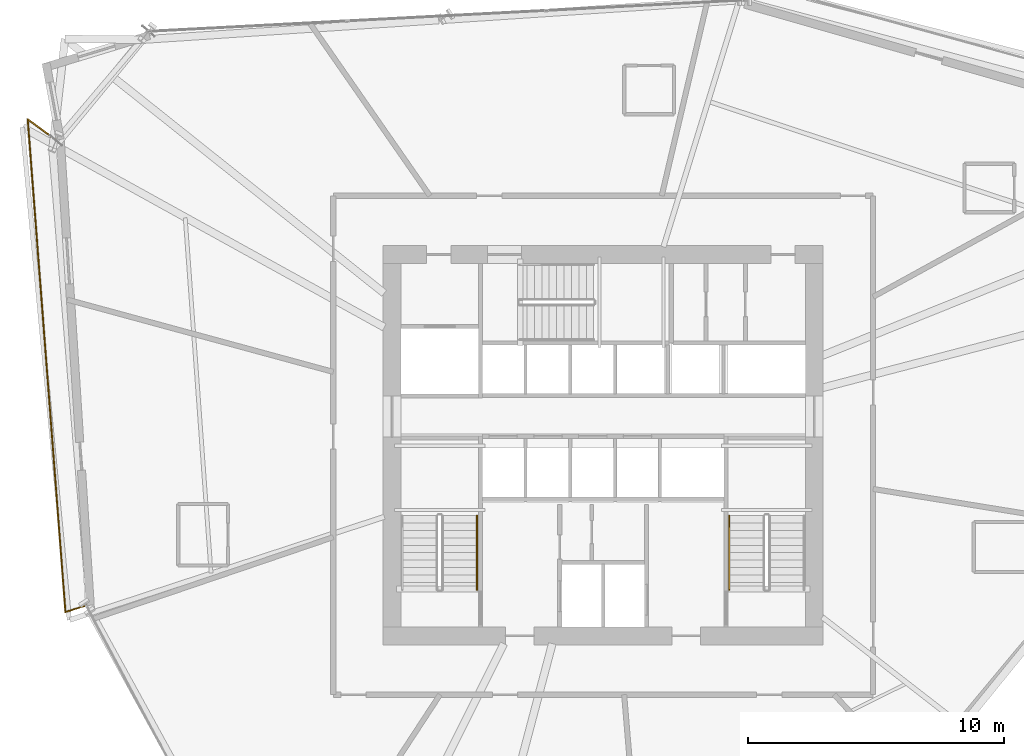
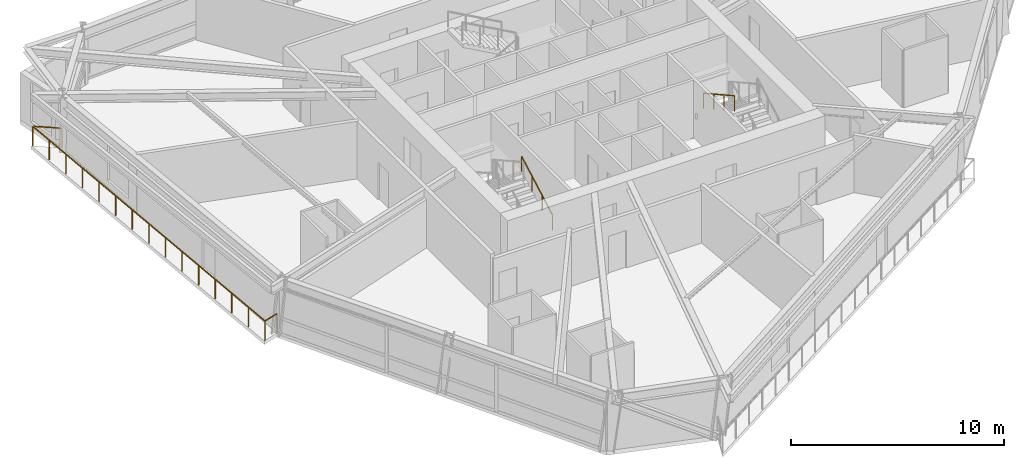
# One storey, part 19 of 21: 3 railings.
"""IFC4 building model written with IfcOpenShell, lengths in metres."""

import ifcopenshell
import ifcopenshell.guid

model = None  # the IFC model being written
_history = None  # IfcOwnerHistory: only IFC2X3 demands one
_inside = {}  # id of a spatial element -> (the spatial element, [elements in it])
_under = {}  # id of a project, library or spatial element -> (it, [spatial elements below it])
_declared = {}  # id of a project -> (the project, [libraries it declares])
_typed = {}  # id of a type object -> (the type object, [elements of that type])
_made_of = {}  # id of a material, layer set ... -> (it, [elements and type objects made of it])


def new_model(schema):
    """Start an empty IFC model of exactly this schema.

    Asked for "IFC4X3", IfcOpenShell would pick the latest addendum, in which some entities
    have other attributes; the version numbers below select the first issue.
    IFC2X3 requires an IfcOwnerHistory on every rooted entity: one is made here for all.
    """
    global model, _history
    if schema == "IFC4X3":
        model = ifcopenshell.file(schema_version=(4, 3, 0, 0))
    else:
        model = ifcopenshell.file(schema=schema)
    _inside.clear()
    _under.clear()
    _declared.clear()
    _typed.clear()
    _made_of.clear()
    _history = None
    if model.schema == "IFC2X3":
        org = make("IfcOrganization", Name="unknown")
        user = make(
            "IfcPersonAndOrganization",
            ThePerson=make("IfcPerson", FamilyName="unknown"),
            TheOrganization=org,
        )
        app = make(
            "IfcApplication",
            ApplicationDeveloper=org,
            Version="unknown",
            ApplicationFullName="unknown",
            ApplicationIdentifier="unknown",
        )
        _history = make(
            "IfcOwnerHistory",
            OwningUser=user,
            OwningApplication=app,
            ChangeAction="ADDED",
            CreationDate=0,
        )
    return model


def make(cls, **values):
    """One entity of the class cls with the attributes given. An attribute that is None is left unset."""
    return model.create_entity(
        cls, **{name: value for name, value in values.items() if value is not None}
    )


def rooted(cls, **values):
    """An entity with a GlobalId (a new one), such as an element, a storey or a relation."""
    return make(cls, GlobalId=ifcopenshell.guid.new(), OwnerHistory=_history, **values)


def si_unit(unit_type, name, prefix=None):
    """IfcSIUnit, for example si_unit("LENGTHUNIT", "METRE", prefix="MILLI")."""
    return make("IfcSIUnit", UnitType=unit_type, Prefix=prefix, Name=name)


def assignment(units):
    """IfcUnitAssignment: the units of a project."""
    return None if units is None else make("IfcUnitAssignment", Units=units)


def point(xyz):
    """IfcCartesianPoint."""
    return None if xyz is None else make("IfcCartesianPoint", Coordinates=xyz)


def direction(xyz):
    """IfcDirection."""
    return None if xyz is None else make("IfcDirection", DirectionRatios=xyz)


def frame(location, z_axis=None, x_axis=None):
    """IfcAxis2Placement3D, a coordinate frame: its origin and axes. An axis left out is left unset."""
    return make(
        "IfcAxis2Placement3D",
        Location=point(location),
        Axis=direction(z_axis),
        RefDirection=direction(x_axis),
    )


def frame_2d(location, x_axis=None):
    """IfcAxis2Placement2D, a coordinate frame in the plane: its origin and x axis."""
    return make(
        "IfcAxis2Placement2D", Location=point(location), RefDirection=direction(x_axis)
    )


def origin():
    """The frame at (0, 0, 0) with its axes left unset."""
    return frame((0.0, 0.0, 0.0))


def origin_2d():
    """The frame at (0, 0) in the plane with its x axis left unset."""
    return frame_2d((0.0, 0.0))


def place(relative_to, where):
    """IfcLocalPlacement: puts the frame where relative to a parent placement (None: the world)."""
    return make(
        "IfcLocalPlacement", PlacementRelTo=relative_to, RelativePlacement=where
    )


def context(
    kind, dimensions, precision=None, world=None, true_north=None, identifier=None
):
    """IfcGeometricRepresentationContext, for example the 3D "Model" context."""
    return make(
        "IfcGeometricRepresentationContext",
        ContextIdentifier=identifier,
        ContextType=kind,
        CoordinateSpaceDimension=dimensions,
        Precision=precision,
        WorldCoordinateSystem=world,
        TrueNorth=true_north,
    )


def subcontext(parent, identifier, kind, view, scale=None):
    """IfcGeometricRepresentationSubContext, for example "Body" below "Model"."""
    return make(
        "IfcGeometricRepresentationSubContext",
        ContextIdentifier=identifier,
        ContextType=kind,
        ParentContext=parent,
        TargetScale=scale,
        TargetView=view,
    )


def project(units=None, contexts=None):
    """IfcProject with its units and contexts."""
    return rooted(
        "IfcProject",
        Name="project",
        RepresentationContexts=contexts,
        UnitsInContext=assignment(units),
    )


def spatial(cls, under=None, at=None, **own):
    """A site, building, storey or space (cls), placed at a placement, below another one or the project."""
    s = rooted(cls, ObjectPlacement=at, **own)
    if under is not None:
        _under.setdefault(under.id(), (under, []))[1].append(s)
    return s


def profile(cls, at=None, kind="AREA", **sizes):
    """A parametric profile (cls). Its sizes go by their IFC names, for example OverallWidth=200.0."""
    return make(cls, ProfileType=kind, Position=at, **sizes)


def rectangle(**sizes):
    """IfcRectangleProfileDef."""
    return profile("IfcRectangleProfileDef", **sizes)


def extrude(swept, where, along, depth):
    """IfcExtrudedAreaSolid: the profile swept, set in the frame where, extruded along a direction by depth."""
    return make(
        "IfcExtrudedAreaSolid",
        SweptArea=swept,
        Position=where,
        ExtrudedDirection=direction(along),
        Depth=depth,
    )


def shape(context_of_items, identifier, shape_type, items):
    """IfcShapeRepresentation: the items that make up one representation, for example the "Body"."""
    return make(
        "IfcShapeRepresentation",
        ContextOfItems=context_of_items,
        RepresentationIdentifier=identifier,
        RepresentationType=shape_type,
        Items=items,
    )


def material(Name=None, Category=None):
    """IfcMaterial."""
    return make("IfcMaterial", Name=Name, Category=Category)


def made_of(thing, what):
    """Note that an element or type object is made of a material, layer set ...; save() writes the relation."""
    if what is not None:
        _made_of.setdefault(what.id(), (what, []))[1].append(thing)
    return thing


def type_object(cls, material=None, **own):
    """A type object (cls), such as IfcWallType, which elements share."""
    return made_of(rooted(cls, **own), material)


def element(
    cls,
    number,
    at=None,
    inside=None,
    cuts=None,
    type_object=None,
    material=None,
    context=None,
    identifier="Body",
    shape_type=None,
    held_by="IfcProductDefinitionShape",
    body=None,
    shapes=None,
    **own,
):
    """One element of the class cls, such as IfcWall. Its Tag is "e" and its number.

    at: its placement. inside: the storey or other place that contains it. cuts: it is an
    opening in that element (IfcRelVoidsElement). A single representation is given by context,
    identifier, shape_type and body (its items); several are given by shapes. held_by: the class
    of the entity that holds the representations. save() writes the other relations.
    """
    e = rooted(cls, Tag="e%d" % number, ObjectPlacement=at, **own)
    if body is not None:
        shapes = [shape(context, identifier, shape_type, body)]
    if shapes is not None:
        e.Representation = make(held_by, Representations=shapes)
    if inside is not None:
        _inside.setdefault(inside.id(), (inside, []))[1].append(e)
    if cuts is not None:
        rooted(
            "IfcRelVoidsElement", RelatingBuildingElement=cuts, RelatedOpeningElement=e
        )
    if type_object is not None:
        _typed.setdefault(type_object.id(), (type_object, []))[1].append(e)
    return made_of(e, material)


def aggregate(whole, parts):
    """IfcRelAggregates: a whole, such as a stair, and the parts it consists of."""
    return rooted("IfcRelAggregates", RelatingObject=whole, RelatedObjects=parts)


def save(model, path):
    """Write the relations noted so far, then the file.

    IfcRelAggregates (storeys below a building ...), IfcRelContainedInSpatialStructure (elements
    in a storey), IfcRelDefinesByType, IfcRelAssociatesMaterial and IfcRelDeclares: one each for
    every whole, place, type object, material and project.
    """
    for whole, parts in _under.values():
        aggregate(whole, parts)
    for where, things in _inside.values():
        rooted(
            "IfcRelContainedInSpatialStructure",
            RelatedElements=things,
            RelatingStructure=where,
        )
    for kind, things in _typed.values():
        rooted("IfcRelDefinesByType", RelatedObjects=things, RelatingType=kind)
    for what, things in _made_of.values():
        rooted("IfcRelAssociatesMaterial", RelatedObjects=things, RelatingMaterial=what)
    for by, libraries in _declared.values():
        rooted("IfcRelDeclares", RelatingContext=by, RelatedDefinitions=libraries)
    model.write(path)


model = new_model("IFC4")

# Units and contexts
model_context = context("Model", 3, precision=1e-05, world=origin(), true_north=direction((0.0, 1.0)))
body_context = subcontext(model_context, "Body", "Model", "MODEL_VIEW")
ifc_project = project(units=[si_unit("LENGTHUNIT", "METRE"), si_unit("AREAUNIT", "SQUARE_METRE"), si_unit("VOLUMEUNIT", "CUBIC_METRE"), si_unit("PLANEANGLEUNIT", "RADIAN"), si_unit("MASSUNIT", "GRAM", prefix="KILO")], contexts=[model_context])

# Site, building, storey
site_placement = place(None, origin())
site = spatial("IfcSite", under=ifc_project, at=site_placement, CompositionType="ELEMENT")
building_placement = place(site_placement, origin())
building = spatial("IfcBuilding", under=site, at=building_placement, Name="Olszyna Solenne Hotel", CompositionType="ELEMENT")
storey_placement = place(building_placement, frame((0.0, 0.0, 105.699951171875)))
storey = spatial("IfcBuildingStorey", under=building, at=storey_placement, Name="L27", CompositionType="ELEMENT", Elevation=105.699951171875)

# Railings
ifc_material_1 = material(Name="Anodised bronze aluminium", Category="aluminium")
railing_type_1 = type_object("IfcRailingType", Name="GR-110", PredefinedType="BALUSTRADE", material=ifc_material_1)
railing_1_placement = place(storey_placement, frame((16.618896484375, 38.521240234375, 0.0)))
element("IfcRailing", 1, at=railing_1_placement, inside=storey, type_object=railing_type_1, Name="Loggia balcony balustrade guard GR-L27-LG2", PredefinedType="BALUSTRADE", context=body_context, shape_type="SweptSolid", body=[
    extrude(rectangle(XDim=0.048095703125, YDim=0.048095703125, at=origin_2d()), frame((0.0, 0.0, 1.1259765625), z_axis=(-0.805509372851, 0.592583032367, 0.0), x_axis=(-0.592583032367, -0.805509372851, 0.0)), (0.0, 0.0, 1.0), 1.37939453125),
    extrude(rectangle(XDim=0.048095703125, YDim=0.048095703125, at=origin_2d()), frame((-1.111083984375, 0.8173828125, 1.1259765625), z_axis=(0.076352358443, -0.997080898102, 0.0), x_axis=(0.997080898102, 0.076352358443, 0.0)), (0.0, 0.0, 1.0), 19.313232421875),
    extrude(rectangle(XDim=0.048095703125, YDim=0.048095703125, at=origin_2d()), frame((0.363525390625, -18.439453125, 1.1259765625), z_axis=(0.9535303104, 0.301297107766, 0.0), x_axis=(-0.301297107766, 0.9535303104, 0.0)), (0.0, 0.0, 1.0), 0.845947265625),
    extrude(rectangle(XDim=0.0419921875, YDim=0.0419921875, at=origin_2d()), origin(), (0.0, 0.0, 1.0), 1.101806640625),
    extrude(rectangle(XDim=0.0419921875, YDim=0.0419921875, at=origin_2d()), frame((-1.111083984375, 0.8173828125, 0.0)), (0.0, 0.0, 1.0), 1.101806640625),
    extrude(rectangle(XDim=0.0419921875, YDim=0.0419921875, at=origin_2d()), frame((-1.005859375, -0.55810546875, 0.0)), (0.0, 0.0, 1.0), 1.101806640625),
    extrude(rectangle(XDim=0.0419921875, YDim=0.0419921875, at=origin_2d()), frame((-0.900390625, -1.93359375, 0.0)), (0.0, 0.0, 1.0), 1.101806640625),
    extrude(rectangle(XDim=0.0419921875, YDim=0.0419921875, at=origin_2d()), frame((-0.795166015625, -3.30908203125, 0.0)), (0.0, 0.0, 1.0), 1.101806640625),
    extrude(rectangle(XDim=0.0419921875, YDim=0.0419921875, at=origin_2d()), frame((-0.689697265625, -4.6845703125, 0.0)), (0.0, 0.0, 1.0), 1.101806640625),
    extrude(rectangle(XDim=0.0419921875, YDim=0.0419921875, at=origin_2d()), frame((-0.58447265625, -6.06005859375, 0.0)), (0.0, 0.0, 1.0), 1.101806640625),
    extrude(rectangle(XDim=0.0419921875, YDim=0.0419921875, at=origin_2d()), frame((-0.47900390625, -7.435546875, 0.0)), (0.0, 0.0, 1.0), 1.101806640625),
    extrude(rectangle(XDim=0.0419921875, YDim=0.0419921875, at=origin_2d()), frame((-0.373779296875, -8.81103515625, 0.0)), (0.0, 0.0, 1.0), 1.101806640625),
    extrude(rectangle(XDim=0.0419921875, YDim=0.0419921875, at=origin_2d()), frame((-0.2685546875, -10.1865234375, 0.0)), (0.0, 0.0, 1.0), 1.101806640625),
    extrude(rectangle(XDim=0.0419921875, YDim=0.0419921875, at=origin_2d()), frame((-0.1630859375, -11.56201171875, 0.0)), (0.0, 0.0, 1.0), 1.101806640625),
    extrude(rectangle(XDim=0.0419921875, YDim=0.0419921875, at=origin_2d()), frame((-0.057861328125, -12.9375, 0.0)), (0.0, 0.0, 1.0), 1.101806640625),
    extrude(rectangle(XDim=0.0419921875, YDim=0.0419921875, at=origin_2d()), frame((0.047607421875, -14.31298828125, 0.0)), (0.0, 0.0, 1.0), 1.101806640625),
    extrude(rectangle(XDim=0.0419921875, YDim=0.0419921875, at=origin_2d()), frame((0.15283203125, -15.6884765625, 0.0)), (0.0, 0.0, 1.0), 1.101806640625),
    extrude(rectangle(XDim=0.0419921875, YDim=0.0419921875, at=origin_2d()), frame((0.25830078125, -17.06396484375, 0.0)), (0.0, 0.0, 1.0), 1.101806640625),
    extrude(rectangle(XDim=0.0419921875, YDim=0.0419921875, at=origin_2d()), frame((0.363525390625, -18.439453125, 0.0)), (0.0, 0.0, 1.0), 1.101806640625),
    extrude(rectangle(XDim=0.0419921875, YDim=0.0419921875, at=origin_2d()), frame((1.170166015625, -18.1845703125, 0.0)), (0.0, 0.0, 1.0), 1.101806640625),
])
ifc_material_2 = material(Name="Steel S355J2", Category="steel")
railing_type_2 = type_object("IfcRailingType", Name="HR-090", PredefinedType="HANDRAIL", material=ifc_material_2)
railing_2_placement = place(storey_placement, frame((33.070068359375, 20.949951171875, 0.161376953125)))
element("IfcRailing", 2, at=railing_2_placement, inside=storey, type_object=railing_type_2, Name="L27 ST1 stair handrail 1", PredefinedType="HANDRAIL", context=body_context, shape_type="SweptSolid", body=[
    extrude(rectangle(XDim=0.048095703125, YDim=0.048095703125, at=origin_2d()), frame((0.0, 0.0, 0.8759765625), z_axis=(0.0, 0.873827439584, 0.48623616261), x_axis=(-1.0, 0.0, 0.0)), (0.0, 0.0, 1.0), 3.31884765625),
    extrude(rectangle(XDim=0.0419921875, YDim=0.0419921875, at=origin_2d()), origin(), (0.0, 0.0, 1.0), 0.851806640625),
    extrude(rectangle(XDim=0.0419921875, YDim=0.0419921875, at=origin_2d()), frame((0.0, 0.966796875, 0.537841796875)), (0.0, 0.0, 1.0), 0.851806640625),
    extrude(rectangle(XDim=0.0419921875, YDim=0.0419921875, at=origin_2d()), frame((0.0, 1.933349609375, 1.075927734375)), (0.0, 0.0, 1.0), 0.851806640625),
    extrude(rectangle(XDim=0.0419921875, YDim=0.0419921875, at=origin_2d()), frame((0.0, 2.900146484375, 1.61376953125)), (0.0, 0.0, 1.0), 0.851806640625),
])
railing_3_placement = place(storey_placement, frame((42.929931640625, 23.85009765625, 1.9365234375)))
element("IfcRailing", 3, at=railing_3_placement, inside=storey, type_object=railing_type_2, Name="L27 ST2 stair handrail 2", PredefinedType="HANDRAIL", context=body_context, shape_type="SweptSolid", body=[
    extrude(rectangle(XDim=0.048095703125, YDim=0.048095703125, at=origin_2d()), frame((0.0, 0.0, 0.8759765625), z_axis=(0.0, -0.873858693841, 0.486179990537), x_axis=(1.0, 0.0, 0.0)), (0.0, 0.0, 1.0), 3.31884765625),
    extrude(rectangle(XDim=0.0419921875, YDim=0.0419921875, at=origin_2d()), origin(), (0.0, 0.0, 1.0), 0.851806640625),
    extrude(rectangle(XDim=0.0419921875, YDim=0.0419921875, at=origin_2d()), frame((0.0, -0.966796875, 0.537841796875)), (0.0, 0.0, 1.0), 0.851806640625),
    extrude(rectangle(XDim=0.0419921875, YDim=0.0419921875, at=origin_2d()), frame((0.0, -1.933349609375, 1.07568359375)), (0.0, 0.0, 1.0), 0.851806640625),
    extrude(rectangle(XDim=0.0419921875, YDim=0.0419921875, at=origin_2d()), frame((0.0, -2.900146484375, 1.613525390625)), (0.0, 0.0, 1.0), 0.851806640625),
])

save(model, "model.ifc")
